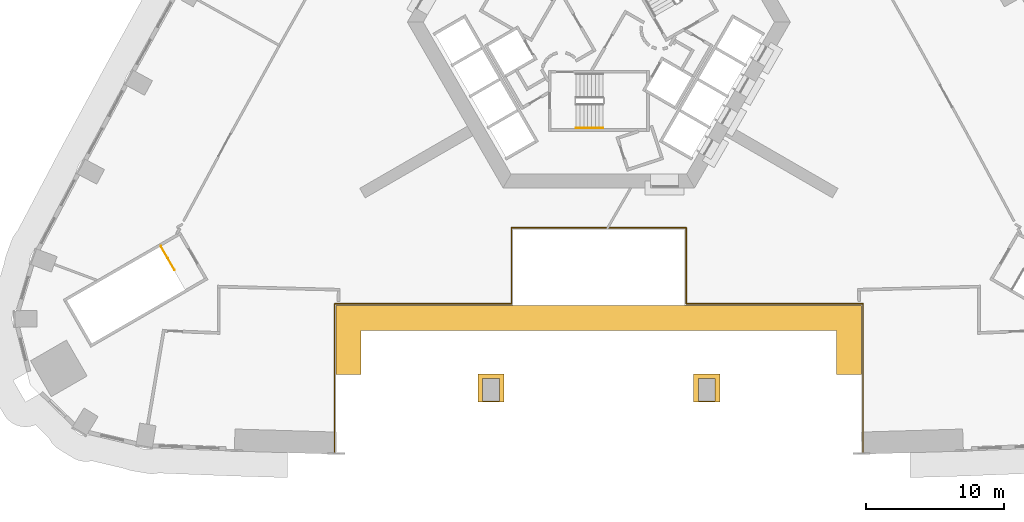
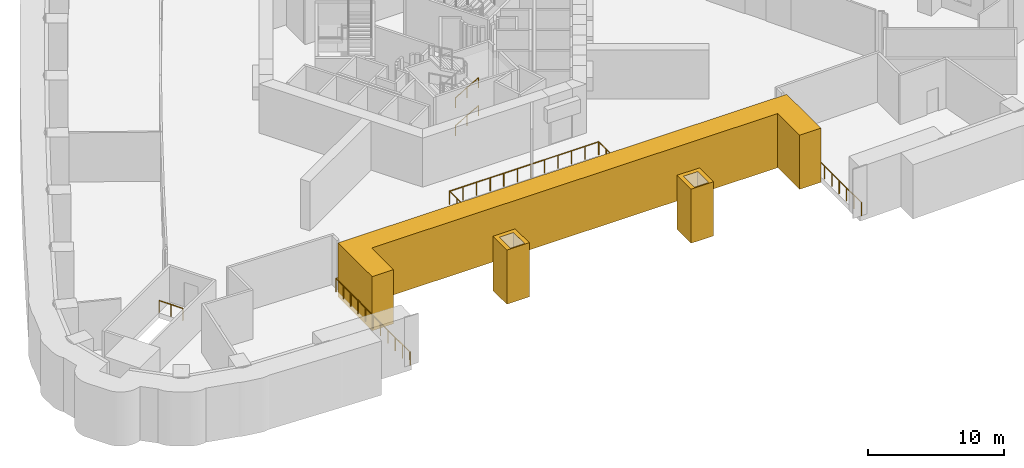
# One storey, part 11 of 15: 4 railings, 3 coverings.
"""IFC4 building model written with IfcOpenShell, lengths in metres."""

from ifc_helpers import new_model, si_unit, direction, frame, origin, origin_2d, place, context, subcontext, project, spatial, polyline, circle, outline, extrude, material, type_object, element, save


model = new_model("IFC4")

# Units and contexts
model_context = context("Model", 3, precision=1e-05, world=origin(), true_north=direction((0.0, 1.0)))
body_context = subcontext(model_context, "Body", "Model", "MODEL_VIEW")
ifc_project = project(units=[si_unit("LENGTHUNIT", "METRE"), si_unit("AREAUNIT", "SQUARE_METRE"), si_unit("VOLUMEUNIT", "CUBIC_METRE"), si_unit("PLANEANGLEUNIT", "RADIAN"), si_unit("MASSUNIT", "GRAM", prefix="KILO")], contexts=[model_context])

# Site, building, storey
site_placement = place(None, origin())
site = spatial("IfcSite", under=ifc_project, at=site_placement, CompositionType="ELEMENT")
building_placement = place(site_placement, origin())
building = spatial("IfcBuilding", under=site, at=building_placement, Name="Entoto Arch Interchange Tower", CompositionType="ELEMENT")
storey_placement = place(building_placement, frame((0.0, 0.0, 30.0)))
storey = spatial("IfcBuildingStorey", under=building, at=storey_placement, Name="L05", CompositionType="ELEMENT", Elevation=30.0)

# Railing
ifc_material_1 = material(Name="Stainless steel 1.4301", Category="steel")
railing_type_1 = type_object("IfcRailingType", Name="ATRIUM GUARD 1200 STEEL AND GLASS", PredefinedType="GUARDRAIL", material=ifc_material_1)
railing_1_placement = place(storey_placement, frame((-19.1201171875, -28.758056640625, 0.0)))
element("IfcRailing", 1, at=railing_1_placement, inside=storey, type_object=railing_type_1, Name="Atrium guard L05", PredefinedType="GUARDRAIL", context=body_context, shape_type="SweptSolid", body=[
    extrude(circle(Radius=0.02392578125, at=origin_2d()), frame((0.0, 0.0, 1.17578125), z_axis=(0.0, 1.0, 0.0), x_axis=(-1.0, 0.0, 0.0)), (0.0, 0.0, 1.0), 10.878173828125),
    extrude(circle(Radius=0.02392578125, at=origin_2d()), frame((0.0, 10.878173828125, 1.17578125), z_axis=(1.0, 0.0, 0.0), x_axis=(0.0, 1.0, 0.0)), (0.0, 0.0, 1.0), 12.800048828125),
    extrude(circle(Radius=0.02392578125, at=origin_2d()), frame((12.800048828125, 10.878173828125, 1.17578125), z_axis=(0.0, 1.0, 0.0), x_axis=(-1.0, 0.0, 0.0)), (0.0, 0.0, 1.0), 5.5),
    extrude(circle(Radius=0.02392578125, at=origin_2d()), frame((12.800048828125, 16.378173828125, 1.17578125), z_axis=(1.0, 0.0, 0.0), x_axis=(0.0, 1.0, 0.0)), (0.0, 0.0, 1.0), 12.64013671875),
    extrude(circle(Radius=0.02392578125, at=origin_2d()), frame((25.440185546875, 16.378173828125, 1.17578125), z_axis=(0.0, -1.0, 0.0), x_axis=(1.0, 0.0, 0.0)), (0.0, 0.0, 1.0), 5.5),
    extrude(circle(Radius=0.02392578125, at=origin_2d()), frame((25.440185546875, 10.878173828125, 1.17578125), z_axis=(1.0, 0.0, 0.0), x_axis=(0.0, 1.0, 0.0)), (0.0, 0.0, 1.0), 12.800048828125),
    extrude(circle(Radius=0.02392578125, at=origin_2d()), frame((38.240234375, 10.878173828125, 1.17578125), z_axis=(0.0, -1.0, 0.0), x_axis=(1.0, 0.0, 0.0)), (0.0, 0.0, 1.0), 10.878173828125),
    extrude(circle(Radius=0.02099609375, at=origin_2d()), origin(), (0.0, 0.0, 1.0), 1.15185546875),
    extrude(circle(Radius=0.02099609375, at=origin_2d()), frame((0.0, 1.087890625, 0.0)), (0.0, 0.0, 1.0), 1.15185546875),
    extrude(circle(Radius=0.02099609375, at=origin_2d()), frame((0.0, 2.175537109375, 0.0)), (0.0, 0.0, 1.0), 1.15185546875),
    extrude(circle(Radius=0.02099609375, at=origin_2d()), frame((0.0, 3.263427734375, 0.0)), (0.0, 0.0, 1.0), 1.15185546875),
    extrude(circle(Radius=0.02099609375, at=origin_2d()), frame((0.0, 4.351318359375, 0.0)), (0.0, 0.0, 1.0), 1.15185546875),
    extrude(circle(Radius=0.02099609375, at=origin_2d()), frame((0.0, 5.43896484375, 0.0)), (0.0, 0.0, 1.0), 1.15185546875),
    extrude(circle(Radius=0.02099609375, at=origin_2d()), frame((0.0, 6.52685546875, 0.0)), (0.0, 0.0, 1.0), 1.15185546875),
    extrude(circle(Radius=0.02099609375, at=origin_2d()), frame((0.0, 7.61474609375, 0.0)), (0.0, 0.0, 1.0), 1.15185546875),
    extrude(circle(Radius=0.02099609375, at=origin_2d()), frame((0.0, 8.70263671875, 0.0)), (0.0, 0.0, 1.0), 1.15185546875),
    extrude(circle(Radius=0.02099609375, at=origin_2d()), frame((0.0, 9.790283203125, 0.0)), (0.0, 0.0, 1.0), 1.15185546875),
    extrude(circle(Radius=0.02099609375, at=origin_2d()), frame((0.0, 10.878173828125, 0.0)), (0.0, 0.0, 1.0), 1.15185546875),
    extrude(circle(Radius=0.02099609375, at=origin_2d()), frame((1.16357421875, 10.878173828125, 0.0)), (0.0, 0.0, 1.0), 1.15185546875),
    extrude(circle(Radius=0.02099609375, at=origin_2d()), frame((2.327392578125, 10.878173828125, 0.0)), (0.0, 0.0, 1.0), 1.15185546875),
    extrude(circle(Radius=0.02099609375, at=origin_2d()), frame((3.490966796875, 10.878173828125, 0.0)), (0.0, 0.0, 1.0), 1.15185546875),
    extrude(circle(Radius=0.02099609375, at=origin_2d()), frame((4.654541015625, 10.878173828125, 0.0)), (0.0, 0.0, 1.0), 1.15185546875),
    extrude(circle(Radius=0.02099609375, at=origin_2d()), frame((5.818115234375, 10.878173828125, 0.0)), (0.0, 0.0, 1.0), 1.15185546875),
    extrude(circle(Radius=0.02099609375, at=origin_2d()), frame((6.98193359375, 10.878173828125, 0.0)), (0.0, 0.0, 1.0), 1.15185546875),
    extrude(circle(Radius=0.02099609375, at=origin_2d()), frame((8.1455078125, 10.878173828125, 0.0)), (0.0, 0.0, 1.0), 1.15185546875),
    extrude(circle(Radius=0.02099609375, at=origin_2d()), frame((9.30908203125, 10.878173828125, 0.0)), (0.0, 0.0, 1.0), 1.15185546875),
    extrude(circle(Radius=0.02099609375, at=origin_2d()), frame((10.47265625, 10.878173828125, 0.0)), (0.0, 0.0, 1.0), 1.15185546875),
    extrude(circle(Radius=0.02099609375, at=origin_2d()), frame((11.636474609375, 10.878173828125, 0.0)), (0.0, 0.0, 1.0), 1.15185546875),
    extrude(circle(Radius=0.02099609375, at=origin_2d()), frame((12.800048828125, 10.878173828125, 0.0)), (0.0, 0.0, 1.0), 1.15185546875),
    extrude(circle(Radius=0.02099609375, at=origin_2d()), frame((12.800048828125, 11.978271484375, 0.0)), (0.0, 0.0, 1.0), 1.15185546875),
    extrude(circle(Radius=0.02099609375, at=origin_2d()), frame((12.800048828125, 13.078125, 0.0)), (0.0, 0.0, 1.0), 1.15185546875),
    extrude(circle(Radius=0.02099609375, at=origin_2d()), frame((12.800048828125, 14.17822265625, 0.0)), (0.0, 0.0, 1.0), 1.15185546875),
    extrude(circle(Radius=0.02099609375, at=origin_2d()), frame((12.800048828125, 15.278076171875, 0.0)), (0.0, 0.0, 1.0), 1.15185546875),
    extrude(circle(Radius=0.02099609375, at=origin_2d()), frame((12.800048828125, 16.378173828125, 0.0)), (0.0, 0.0, 1.0), 1.15185546875),
    extrude(circle(Radius=0.02099609375, at=origin_2d()), frame((13.94921875, 16.378173828125, 0.0)), (0.0, 0.0, 1.0), 1.15185546875),
    extrude(circle(Radius=0.02099609375, at=origin_2d()), frame((15.09814453125, 16.378173828125, 0.0)), (0.0, 0.0, 1.0), 1.15185546875),
    extrude(circle(Radius=0.02099609375, at=origin_2d()), frame((16.247314453125, 16.378173828125, 0.0)), (0.0, 0.0, 1.0), 1.15185546875),
    extrude(circle(Radius=0.02099609375, at=origin_2d()), frame((17.396484375, 16.378173828125, 0.0)), (0.0, 0.0, 1.0), 1.15185546875),
    extrude(circle(Radius=0.02099609375, at=origin_2d()), frame((18.545654296875, 16.378173828125, 0.0)), (0.0, 0.0, 1.0), 1.15185546875),
    extrude(circle(Radius=0.02099609375, at=origin_2d()), frame((19.694580078125, 16.378173828125, 0.0)), (0.0, 0.0, 1.0), 1.15185546875),
    extrude(circle(Radius=0.02099609375, at=origin_2d()), frame((20.84375, 16.378173828125, 0.0)), (0.0, 0.0, 1.0), 1.15185546875),
    extrude(circle(Radius=0.02099609375, at=origin_2d()), frame((21.992919921875, 16.378173828125, 0.0)), (0.0, 0.0, 1.0), 1.15185546875),
    extrude(circle(Radius=0.02099609375, at=origin_2d()), frame((23.14208984375, 16.378173828125, 0.0)), (0.0, 0.0, 1.0), 1.15185546875),
    extrude(circle(Radius=0.02099609375, at=origin_2d()), frame((24.291015625, 16.378173828125, 0.0)), (0.0, 0.0, 1.0), 1.15185546875),
    extrude(circle(Radius=0.02099609375, at=origin_2d()), frame((25.440185546875, 16.378173828125, 0.0)), (0.0, 0.0, 1.0), 1.15185546875),
    extrude(circle(Radius=0.02099609375, at=origin_2d()), frame((25.440185546875, 15.278076171875, 0.0)), (0.0, 0.0, 1.0), 1.15185546875),
    extrude(circle(Radius=0.02099609375, at=origin_2d()), frame((25.440185546875, 14.17822265625, 0.0)), (0.0, 0.0, 1.0), 1.15185546875),
    extrude(circle(Radius=0.02099609375, at=origin_2d()), frame((25.440185546875, 13.078125, 0.0)), (0.0, 0.0, 1.0), 1.15185546875),
    extrude(circle(Radius=0.02099609375, at=origin_2d()), frame((25.440185546875, 11.978271484375, 0.0)), (0.0, 0.0, 1.0), 1.15185546875),
    extrude(circle(Radius=0.02099609375, at=origin_2d()), frame((25.440185546875, 10.878173828125, 0.0)), (0.0, 0.0, 1.0), 1.15185546875),
    extrude(circle(Radius=0.02099609375, at=origin_2d()), frame((26.603759765625, 10.878173828125, 0.0)), (0.0, 0.0, 1.0), 1.15185546875),
    extrude(circle(Radius=0.02099609375, at=origin_2d()), frame((27.767578125, 10.878173828125, 0.0)), (0.0, 0.0, 1.0), 1.15185546875),
    extrude(circle(Radius=0.02099609375, at=origin_2d()), frame((28.93115234375, 10.878173828125, 0.0)), (0.0, 0.0, 1.0), 1.15185546875),
    extrude(circle(Radius=0.02099609375, at=origin_2d()), frame((30.0947265625, 10.878173828125, 0.0)), (0.0, 0.0, 1.0), 1.15185546875),
    extrude(circle(Radius=0.02099609375, at=origin_2d()), frame((31.25830078125, 10.878173828125, 0.0)), (0.0, 0.0, 1.0), 1.15185546875),
    extrude(circle(Radius=0.02099609375, at=origin_2d()), frame((32.422119140625, 10.878173828125, 0.0)), (0.0, 0.0, 1.0), 1.15185546875),
    extrude(circle(Radius=0.02099609375, at=origin_2d()), frame((33.585693359375, 10.878173828125, 0.0)), (0.0, 0.0, 1.0), 1.15185546875),
    extrude(circle(Radius=0.02099609375, at=origin_2d()), frame((34.749267578125, 10.878173828125, 0.0)), (0.0, 0.0, 1.0), 1.15185546875),
    extrude(circle(Radius=0.02099609375, at=origin_2d()), frame((35.912841796875, 10.878173828125, 0.0)), (0.0, 0.0, 1.0), 1.15185546875),
    extrude(circle(Radius=0.02099609375, at=origin_2d()), frame((37.07666015625, 10.878173828125, 0.0)), (0.0, 0.0, 1.0), 1.15185546875),
    extrude(circle(Radius=0.02099609375, at=origin_2d()), frame((38.240234375, 10.878173828125, 0.0)), (0.0, 0.0, 1.0), 1.15185546875),
    extrude(circle(Radius=0.02099609375, at=origin_2d()), frame((38.240234375, 9.790283203125, 0.0)), (0.0, 0.0, 1.0), 1.15185546875),
    extrude(circle(Radius=0.02099609375, at=origin_2d()), frame((38.240234375, 8.70263671875, 0.0)), (0.0, 0.0, 1.0), 1.15185546875),
    extrude(circle(Radius=0.02099609375, at=origin_2d()), frame((38.240234375, 7.61474609375, 0.0)), (0.0, 0.0, 1.0), 1.15185546875),
    extrude(circle(Radius=0.02099609375, at=origin_2d()), frame((38.240234375, 6.52685546875, 0.0)), (0.0, 0.0, 1.0), 1.15185546875),
    extrude(circle(Radius=0.02099609375, at=origin_2d()), frame((38.240234375, 5.43896484375, 0.0)), (0.0, 0.0, 1.0), 1.15185546875),
    extrude(circle(Radius=0.02099609375, at=origin_2d()), frame((38.240234375, 4.351318359375, 0.0)), (0.0, 0.0, 1.0), 1.15185546875),
    extrude(circle(Radius=0.02099609375, at=origin_2d()), frame((38.240234375, 3.263427734375, 0.0)), (0.0, 0.0, 1.0), 1.15185546875),
    extrude(circle(Radius=0.02099609375, at=origin_2d()), frame((38.240234375, 2.175537109375, 0.0)), (0.0, 0.0, 1.0), 1.15185546875),
    extrude(circle(Radius=0.02099609375, at=origin_2d()), frame((38.240234375, 1.087890625, 0.0)), (0.0, 0.0, 1.0), 1.15185546875),
    extrude(circle(Radius=0.02099609375, at=origin_2d()), frame((38.240234375, 0.0, 0.0)), (0.0, 0.0, 1.0), 1.15185546875),
])

# Coverings
ifc_material_2 = material(Name="Board-marked precast concrete C50/60", Category="concrete")
covering_type = type_object("IfcCoveringType", Name="PRECAST FRAME COURSE", PredefinedType="CLADDING", material=ifc_material_2)
covering_1_placement = place(storey_placement, frame((0.0, 0.0, -0.449951171875)))
element("IfcCovering", 2, at=covering_1_placement, inside=storey, type_object=covering_type, Name="Gate pier L05", PredefinedType="CLADDING", context=body_context, shape_type="SweptSolid", body=[
    extrude(outline(polyline([(-8.75, -22.949951171875), (-6.85009765625, -22.949951171875), (-6.85009765625, -24.9990234375), (-8.75, -24.9990234375), (-8.75, -22.949951171875)]), holes=[polyline([(-8.39990234375, -23.300048828125), (-8.39990234375, -24.89990234375), (-7.199951171875, -24.89990234375), (-7.199951171875, -23.300048828125), (-8.39990234375, -23.300048828125)])]), origin(), (0.0, 0.0, 1.0), 4.849853515625),
])
covering_2_placement = place(storey_placement, frame((0.0, 0.0, -0.449951171875)))
element("IfcCovering", 3, at=covering_2_placement, inside=storey, type_object=covering_type, Name="Gate pier L05", PredefinedType="CLADDING", context=body_context, shape_type="SweptSolid", body=[
    extrude(outline(polyline([(6.85009765625, -22.949951171875), (8.75, -22.949951171875), (8.75, -24.9990234375), (6.85009765625, -24.9990234375), (6.85009765625, -22.949951171875)]), holes=[polyline([(7.199951171875, -23.300048828125), (7.199951171875, -24.89990234375), (8.39990234375, -24.89990234375), (8.39990234375, -23.300048828125), (7.199951171875, -23.300048828125)])]), origin(), (0.0, 0.0, 1.0), 4.849853515625),
])
covering_3_placement = place(storey_placement, frame((0.0, 0.0, -0.449951171875)))
element("IfcCovering", 4, at=covering_3_placement, inside=storey, type_object=covering_type, Name="Zone frame L05", PredefinedType="CLADDING", context=body_context, shape_type="SweptSolid", body=[
    extrude(outline(polyline([(-17.199951171875, -23.0), (-19.0, -23.0), (-19.0, -18.0), (19.0, -18.0), (19.0, -23.0), (17.199951171875, -23.0), (17.199951171875, -19.800048828125), (-17.199951171875, -19.800048828125), (-17.199951171875, -23.0)])), origin(), (0.0, 0.0, 1.0), 4.849853515625),
])

# Railings
railing_type_2 = type_object("IfcRailingType", Name="STAIR GUARD 1100 STEEL", PredefinedType="GUARDRAIL", material=ifc_material_1)
railing_2_placement = place(storey_placement, frame((-31.687255859375, -13.71630859375, 0.0)))
element("IfcRailing", 5, at=railing_2_placement, inside=storey, type_object=railing_type_2, Name="L05 PST-SW top well guard 1", PredefinedType="GUARDRAIL", context=body_context, shape_type="SweptSolid", body=[
    extrude(circle(Radius=0.02392578125, at=origin_2d()), frame((0.0, 0.0, 1.076171875), z_axis=(0.50002537861, -0.866010750942, 0.0), x_axis=(0.866010750942, 0.50002537861, 0.0)), (0.0, 0.0, 1.0), 2.0),
    extrude(circle(Radius=0.02099609375, at=origin_2d()), origin(), (0.0, 0.0, 1.0), 1.052001953125),
    extrude(circle(Radius=0.02099609375, at=origin_2d()), frame((0.5, -0.865966796875, 0.0)), (0.0, 0.0, 1.0), 1.052001953125),
    extrude(circle(Radius=0.02099609375, at=origin_2d()), frame((1.0, -1.73193359375, 0.0)), (0.0, 0.0, 1.0), 1.052001953125),
])
railing_type_3 = type_object("IfcRailingType", Name="STAIR HANDRAIL 900 STEEL", PredefinedType="HANDRAIL", material=ifc_material_1)
for number, where, name in (
    (6, (-1.64990234375, -5.14990234375, 0.15625), "L05 ST-S stair handrail 1"),
    (7, (-1.64990234375, -5.14990234375, 2.65625), "L05 ST-S stair handrail 3"),
):
    element("IfcRailing", number, at=place(storey_placement, frame(where)), inside=storey, type_object=railing_type_3, Name=name, PredefinedType="HANDRAIL", context=body_context, shape_type="SweptSolid", body=[
        extrude(circle(Radius=0.02392578125, at=origin_2d()), frame((0.0, 0.0, 0.8759765625), z_axis=(0.873232148454, 0.0, 0.487304437602), x_axis=(0.0, 1.0, 0.0)), (0.0, 0.0, 1.0), 2.244384765625),
        extrude(circle(Radius=0.02099609375, at=origin_2d()), origin(), (0.0, 0.0, 1.0), 0.851806640625),
        extrude(circle(Radius=0.02099609375, at=origin_2d()), frame((0.97998046875, 0.0, 0.546875)), (0.0, 0.0, 1.0), 0.851806640625),
        extrude(circle(Radius=0.02099609375, at=origin_2d()), frame((1.9599609375, 0.0, 1.09375)), (0.0, 0.0, 1.0), 0.851806640625),
    ])

save(model, "model.ifc")
